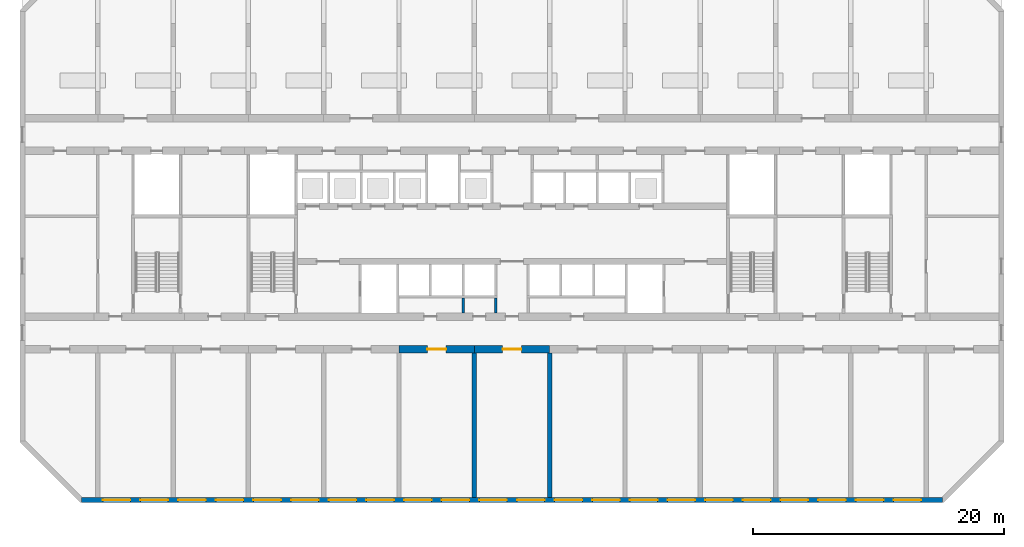
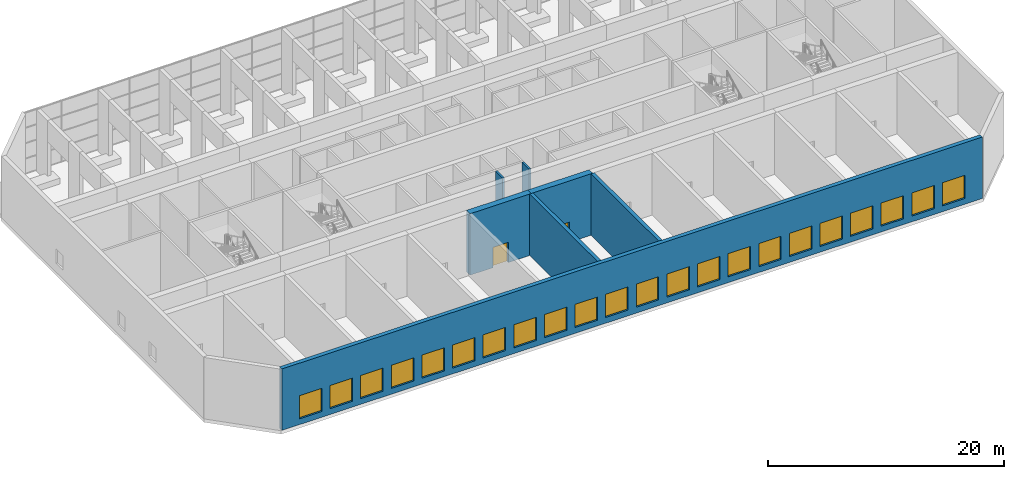
# One storey, part 8 of 16: 22 windows, 7 walls, 2 doors, 24 openings.
"""IFC4 building model written with IfcOpenShell, lengths in metres."""

from ifc_helpers import new_model, si_unit, direction, frame, frame_2d, origin, place, context, subcontext, project, spatial, rectangle, extrude, material, layer, layer_set, type_object, element, fill, save


model = new_model("IFC4")

# Units and contexts
model_context = context("Model", 3, precision=1e-05, world=origin(), true_north=direction((0.0, 1.0)))
body_context = subcontext(model_context, "Body", "Model", "MODEL_VIEW")
ifc_project = project(units=[si_unit("LENGTHUNIT", "METRE"), si_unit("AREAUNIT", "SQUARE_METRE"), si_unit("VOLUMEUNIT", "CUBIC_METRE"), si_unit("PLANEANGLEUNIT", "RADIAN"), si_unit("MASSUNIT", "GRAM", prefix="KILO")], contexts=[model_context])

# Site, building, storey
site_placement = place(None, origin())
site = spatial("IfcSite", under=ifc_project, at=site_placement, CompositionType="ELEMENT")
building_placement = place(site_placement, origin())
building = spatial("IfcBuilding", under=site, at=building_placement, Name="Poui Terraces", CompositionType="ELEMENT")
storey_placement = place(building_placement, frame((0.0, 0.0, 115.800048828125)))
storey = spatial("IfcBuildingStorey", under=building, at=storey_placement, Name="L32", CompositionType="ELEMENT", Elevation=115.800048828125)

# Wall, opening, door
ifc_material_1 = material(Name="Concrete 65 MPa", Category="concrete")
ifc_layer_1 = layer(ifc_material_1, 0.60009765625)
ifc_layer_set_1 = layer_set([ifc_layer_1], Name="Concrete 65 MPa")
wall_type_1 = type_object("IfcWallType", Name="BELT WALL 600 65MPa", PredefinedType="SHEAR", material=ifc_layer_set_1)
wall_1_placement = place(storey_placement, frame((42.0, 12.0, 0.0), z_axis=(0.0, 0.0, 1.0), x_axis=(1.0, 0.0, 0.0)))
wall_1 = element("IfcWall", 1, at=wall_1_placement, inside=storey, type_object=wall_type_1, Name="BELT WALL LINE B BAY 6", PredefinedType="SHEAR", context=body_context, shape_type="SweptSolid", body=[
    extrude(rectangle(XDim=6.0, YDim=0.60009765625, at=frame_2d((3.0, 0.0))), origin(), (0.0, 0.0, 1.0), 6.369873046875),
])
opening_1_placement = place(wall_1_placement, frame((2.25, 0.0, 0.0)))
opening_1 = element("IfcOpeningElement", 2, at=opening_1_placement, cuts=wall_1, Name="Opening FDP", PredefinedType="OPENING", context=body_context, shape_type="SweptSolid", body=[
    extrude(rectangle(XDim=1.5, YDim=2.10009765625, at=frame_2d((0.75, 1.050048828125))), frame((0.0, 0.31005859375, 0.0), z_axis=(0.0, -1.0, 0.0), x_axis=(1.0, 0.0, 0.0)), (0.0, 0.0, 1.0), 0.6201171875),
])
ifc_material_2 = material(Name="Steel fire door", Category="steel")
door_type = type_object("IfcDoorType", Name="PLANT ROOM DOOR PAIR 1500 X 2100", OperationType="DOUBLE_DOOR_SINGLE_SWING", PredefinedType="DOOR", material=ifc_material_2)
door_1_placement = place(opening_1_placement, origin())
door_1 = element("IfcDoor", 3, at=door_1_placement, inside=storey, type_object=door_type, Name="PLANT ROOM DOOR PAIR 031", OperationType="DOUBLE_DOOR_SINGLE_SWING", OverallHeight=2.10009765625, OverallWidth=1.5, PredefinedType="DOOR", context=body_context, shape_type="SweptSolid", body=[
    extrude(rectangle(XDim=1.5, YDim=2.10009765625, at=frame_2d((0.75, 1.050048828125))), frame((0.0, 0.02490234375, 0.0), z_axis=(0.0, -1.0, 0.0), x_axis=(1.0, 0.0, 0.0)), (0.0, 0.0, 1.0), 0.050048828125),
])
fill(opening_1, door_1)

wall_2_placement = place(storey_placement, frame((48.0, 12.0, 0.0), z_axis=(0.0, 0.0, 1.0), x_axis=(1.0, 0.0, 0.0)))
wall_2 = element("IfcWall", 4, at=wall_2_placement, inside=storey, type_object=wall_type_1, Name="BELT WALL LINE B BAY 7", PredefinedType="SHEAR", context=body_context, shape_type="SweptSolid", body=[
    extrude(rectangle(XDim=6.0, YDim=0.60009765625, at=frame_2d((3.0, 0.0))), origin(), (0.0, 0.0, 1.0), 6.369873046875),
])
opening_2_placement = place(wall_2_placement, frame((2.25, 0.0, 0.0)))
opening_2 = element("IfcOpeningElement", 5, at=opening_2_placement, cuts=wall_2, Name="Opening FDP", PredefinedType="OPENING", context=body_context, shape_type="SweptSolid", body=[
    extrude(rectangle(XDim=1.5, YDim=2.10009765625, at=frame_2d((0.75, 1.050048828125))), frame((0.0, 0.31005859375, 0.0), z_axis=(0.0, -1.0, 0.0), x_axis=(1.0, 0.0, 0.0)), (0.0, 0.0, 1.0), 0.6201171875),
])
door_2_placement = place(opening_2_placement, origin())
door_2 = element("IfcDoor", 6, at=door_2_placement, inside=storey, type_object=door_type, Name="PLANT ROOM DOOR PAIR 033", OperationType="DOUBLE_DOOR_SINGLE_SWING", OverallHeight=2.10009765625, OverallWidth=1.5, PredefinedType="DOOR", context=body_context, shape_type="SweptSolid", body=[
    extrude(rectangle(XDim=1.5, YDim=2.10009765625, at=frame_2d((0.75, 1.050048828125))), frame((0.0, 0.02490234375, 0.0), z_axis=(0.0, -1.0, 0.0), x_axis=(1.0, 0.0, 0.0)), (0.0, 0.0, 1.0), 0.050048828125),
])
fill(opening_2, door_2)

# Walls
ifc_layer_2 = layer(ifc_material_1, 0.35009765625)
ifc_layer_set_2 = layer_set([ifc_layer_2], Name="Concrete 65 MPa")
wall_type_2 = type_object("IfcWallType", Name="CROSS WALL 350 65MPa", PredefinedType="SHEAR", material=ifc_layer_set_2)
for number, where, z_axis, x_axis, name in (
    (7, (48.0, 0.199951171875, 0.0), (0.0, 0.0, 1.0), (0.0, 1.0, 0.0), "CROSS WALL LINE 9 SOUTH"),
    (8, (54.0, 0.199951171875, 0.0), (0.0, 0.0, 1.0), (0.0, 1.0, 0.0), "CROSS WALL LINE 10 SOUTH"),
):
    element("IfcWall", number, at=place(storey_placement, frame(where, z_axis=z_axis, x_axis=x_axis)), inside=storey, type_object=wall_type_2, Name=name, PredefinedType="SHEAR", context=body_context, shape_type="SweptSolid", body=[
        extrude(rectangle(XDim=11.5, YDim=0.35009765625, at=frame_2d((5.75, 0.0))), origin(), (0.0, 0.0, 1.0), 6.369873046875),
    ])

# Wall, openings, windows
ifc_material_3 = material(Name="Precast concrete 40 MPa", Category="concrete")
ifc_layer_3 = layer(ifc_material_3, 0.39990234375)
ifc_layer_set_3 = layer_set([ifc_layer_3], Name="Precast concrete 40 MPa")
wall_type_3 = type_object("IfcWallType", Name="EXTERNAL WALL 400", PredefinedType="STANDARD", material=ifc_layer_set_3)
wall_3_placement = place(storey_placement, frame((16.682861328125, 0.0, 0.0), z_axis=(0.0, 0.0, 1.0), x_axis=(1.0, 0.0, 0.0)))
wall_3 = element("IfcWall", 9, at=wall_3_placement, inside=storey, type_object=wall_type_3, Name="EXTERNAL WALL S", PredefinedType="STANDARD", context=body_context, shape_type="SweptSolid", body=[
    extrude(rectangle(XDim=68.63427734375, YDim=0.39990234375, at=frame_2d((34.317138671875, 0.0))), origin(), (0.0, 0.0, 1.0), 6.369873046875),
])
opening_3_placement = place(wall_3_placement, frame((1.71728515625, 0.0, 0.60009765625)))
opening_3 = element("IfcOpeningElement", 10, at=opening_3_placement, cuts=wall_3, Name="Opening W5", PredefinedType="OPENING", context=body_context, shape_type="SweptSolid", body=[
    extrude(rectangle(XDim=2.199951171875, YDim=2.39990234375, at=frame_2d((1.10009765625, 1.199951171875))), frame((0.0, 0.2099609375, 0.0), z_axis=(0.0, -1.0, 0.0), x_axis=(1.0, 0.0, 0.0)), (0.0, 0.0, 1.0), 0.419921875),
])
opening_4_placement = place(wall_3_placement, frame((4.71728515625, 0.0, 0.60009765625)))
opening_4 = element("IfcOpeningElement", 11, at=opening_4_placement, cuts=wall_3, Name="Opening W5", PredefinedType="OPENING", context=body_context, shape_type="SweptSolid", body=[
    extrude(rectangle(XDim=2.199951171875, YDim=2.39990234375, at=frame_2d((1.10009765625, 1.199951171875))), frame((0.0, 0.2099609375, 0.0), z_axis=(0.0, -1.0, 0.0), x_axis=(1.0, 0.0, 0.0)), (0.0, 0.0, 1.0), 0.419921875),
])
opening_5_placement = place(wall_3_placement, frame((7.71728515625, 0.0, 0.60009765625)))
opening_5 = element("IfcOpeningElement", 12, at=opening_5_placement, cuts=wall_3, Name="Opening W5", PredefinedType="OPENING", context=body_context, shape_type="SweptSolid", body=[
    extrude(rectangle(XDim=2.199951171875, YDim=2.39990234375, at=frame_2d((1.10009765625, 1.199951171875))), frame((0.0, 0.2099609375, 0.0), z_axis=(0.0, -1.0, 0.0), x_axis=(1.0, 0.0, 0.0)), (0.0, 0.0, 1.0), 0.419921875),
])
opening_6_placement = place(wall_3_placement, frame((10.71728515625, 0.0, 0.60009765625)))
opening_6 = element("IfcOpeningElement", 13, at=opening_6_placement, cuts=wall_3, Name="Opening W5", PredefinedType="OPENING", context=body_context, shape_type="SweptSolid", body=[
    extrude(rectangle(XDim=2.199951171875, YDim=2.39990234375, at=frame_2d((1.10009765625, 1.199951171875))), frame((0.0, 0.2099609375, 0.0), z_axis=(0.0, -1.0, 0.0), x_axis=(1.0, 0.0, 0.0)), (0.0, 0.0, 1.0), 0.419921875),
])
opening_7_placement = place(wall_3_placement, frame((13.71728515625, 0.0, 0.60009765625)))
opening_7 = element("IfcOpeningElement", 14, at=opening_7_placement, cuts=wall_3, Name="Opening W5", PredefinedType="OPENING", context=body_context, shape_type="SweptSolid", body=[
    extrude(rectangle(XDim=2.199951171875, YDim=2.39990234375, at=frame_2d((1.10009765625, 1.199951171875))), frame((0.0, 0.2099609375, 0.0), z_axis=(0.0, -1.0, 0.0), x_axis=(1.0, 0.0, 0.0)), (0.0, 0.0, 1.0), 0.419921875),
])
opening_8_placement = place(wall_3_placement, frame((16.71728515625, 0.0, 0.60009765625)))
opening_8 = element("IfcOpeningElement", 15, at=opening_8_placement, cuts=wall_3, Name="Opening W5", PredefinedType="OPENING", context=body_context, shape_type="SweptSolid", body=[
    extrude(rectangle(XDim=2.199951171875, YDim=2.39990234375, at=frame_2d((1.10009765625, 1.199951171875))), frame((0.0, 0.2099609375, 0.0), z_axis=(0.0, -1.0, 0.0), x_axis=(1.0, 0.0, 0.0)), (0.0, 0.0, 1.0), 0.419921875),
])
opening_9_placement = place(wall_3_placement, frame((19.71728515625, 0.0, 0.60009765625)))
opening_9 = element("IfcOpeningElement", 16, at=opening_9_placement, cuts=wall_3, Name="Opening W5", PredefinedType="OPENING", context=body_context, shape_type="SweptSolid", body=[
    extrude(rectangle(XDim=2.199951171875, YDim=2.39990234375, at=frame_2d((1.10009765625, 1.199951171875))), frame((0.0, 0.2099609375, 0.0), z_axis=(0.0, -1.0, 0.0), x_axis=(1.0, 0.0, 0.0)), (0.0, 0.0, 1.0), 0.419921875),
])
opening_10_placement = place(wall_3_placement, frame((22.71728515625, 0.0, 0.60009765625)))
opening_10 = element("IfcOpeningElement", 17, at=opening_10_placement, cuts=wall_3, Name="Opening W5", PredefinedType="OPENING", context=body_context, shape_type="SweptSolid", body=[
    extrude(rectangle(XDim=2.199951171875, YDim=2.39990234375, at=frame_2d((1.10009765625, 1.199951171875))), frame((0.0, 0.2099609375, 0.0), z_axis=(0.0, -1.0, 0.0), x_axis=(1.0, 0.0, 0.0)), (0.0, 0.0, 1.0), 0.419921875),
])
opening_11_placement = place(wall_3_placement, frame((25.71728515625, 0.0, 0.60009765625)))
opening_11 = element("IfcOpeningElement", 18, at=opening_11_placement, cuts=wall_3, Name="Opening W5", PredefinedType="OPENING", context=body_context, shape_type="SweptSolid", body=[
    extrude(rectangle(XDim=2.199951171875, YDim=2.39990234375, at=frame_2d((1.10009765625, 1.199951171875))), frame((0.0, 0.2099609375, 0.0), z_axis=(0.0, -1.0, 0.0), x_axis=(1.0, 0.0, 0.0)), (0.0, 0.0, 1.0), 0.419921875),
])
opening_12_placement = place(wall_3_placement, frame((28.71728515625, 0.0, 0.60009765625)))
opening_12 = element("IfcOpeningElement", 19, at=opening_12_placement, cuts=wall_3, Name="Opening W5", PredefinedType="OPENING", context=body_context, shape_type="SweptSolid", body=[
    extrude(rectangle(XDim=2.199951171875, YDim=2.39990234375, at=frame_2d((1.10009765625, 1.199951171875))), frame((0.0, 0.2099609375, 0.0), z_axis=(0.0, -1.0, 0.0), x_axis=(1.0, 0.0, 0.0)), (0.0, 0.0, 1.0), 0.419921875),
])
opening_13_placement = place(wall_3_placement, frame((31.71728515625, 0.0, 0.60009765625)))
opening_13 = element("IfcOpeningElement", 20, at=opening_13_placement, cuts=wall_3, Name="Opening W5", PredefinedType="OPENING", context=body_context, shape_type="SweptSolid", body=[
    extrude(rectangle(XDim=2.199951171875, YDim=2.39990234375, at=frame_2d((1.10009765625, 1.199951171875))), frame((0.0, 0.2099609375, 0.0), z_axis=(0.0, -1.0, 0.0), x_axis=(1.0, 0.0, 0.0)), (0.0, 0.0, 1.0), 0.419921875),
])
opening_14_placement = place(wall_3_placement, frame((34.71728515625, 0.0, 0.60009765625)))
opening_14 = element("IfcOpeningElement", 21, at=opening_14_placement, cuts=wall_3, Name="Opening W5", PredefinedType="OPENING", context=body_context, shape_type="SweptSolid", body=[
    extrude(rectangle(XDim=2.199951171875, YDim=2.39990234375, at=frame_2d((1.10009765625, 1.199951171875))), frame((0.0, 0.2099609375, 0.0), z_axis=(0.0, -1.0, 0.0), x_axis=(1.0, 0.0, 0.0)), (0.0, 0.0, 1.0), 0.419921875),
])
opening_15_placement = place(wall_3_placement, frame((37.71728515625, 0.0, 0.60009765625)))
opening_15 = element("IfcOpeningElement", 22, at=opening_15_placement, cuts=wall_3, Name="Opening W5", PredefinedType="OPENING", context=body_context, shape_type="SweptSolid", body=[
    extrude(rectangle(XDim=2.199951171875, YDim=2.39990234375, at=frame_2d((1.10009765625, 1.199951171875))), frame((0.0, 0.2099609375, 0.0), z_axis=(0.0, -1.0, 0.0), x_axis=(1.0, 0.0, 0.0)), (0.0, 0.0, 1.0), 0.419921875),
])
opening_16_placement = place(wall_3_placement, frame((40.71728515625, 0.0, 0.60009765625)))
opening_16 = element("IfcOpeningElement", 23, at=opening_16_placement, cuts=wall_3, Name="Opening W5", PredefinedType="OPENING", context=body_context, shape_type="SweptSolid", body=[
    extrude(rectangle(XDim=2.199951171875, YDim=2.39990234375, at=frame_2d((1.10009765625, 1.199951171875))), frame((0.0, 0.2099609375, 0.0), z_axis=(0.0, -1.0, 0.0), x_axis=(1.0, 0.0, 0.0)), (0.0, 0.0, 1.0), 0.419921875),
])
opening_17_placement = place(wall_3_placement, frame((43.71728515625, 0.0, 0.60009765625)))
opening_17 = element("IfcOpeningElement", 24, at=opening_17_placement, cuts=wall_3, Name="Opening W5", PredefinedType="OPENING", context=body_context, shape_type="SweptSolid", body=[
    extrude(rectangle(XDim=2.199951171875, YDim=2.39990234375, at=frame_2d((1.10009765625, 1.199951171875))), frame((0.0, 0.2099609375, 0.0), z_axis=(0.0, -1.0, 0.0), x_axis=(1.0, 0.0, 0.0)), (0.0, 0.0, 1.0), 0.419921875),
])
opening_18_placement = place(wall_3_placement, frame((46.71728515625, 0.0, 0.60009765625)))
opening_18 = element("IfcOpeningElement", 25, at=opening_18_placement, cuts=wall_3, Name="Opening W5", PredefinedType="OPENING", context=body_context, shape_type="SweptSolid", body=[
    extrude(rectangle(XDim=2.199951171875, YDim=2.39990234375, at=frame_2d((1.10009765625, 1.199951171875))), frame((0.0, 0.2099609375, 0.0), z_axis=(0.0, -1.0, 0.0), x_axis=(1.0, 0.0, 0.0)), (0.0, 0.0, 1.0), 0.419921875),
])
opening_19_placement = place(wall_3_placement, frame((49.71728515625, 0.0, 0.60009765625)))
opening_19 = element("IfcOpeningElement", 26, at=opening_19_placement, cuts=wall_3, Name="Opening W5", PredefinedType="OPENING", context=body_context, shape_type="SweptSolid", body=[
    extrude(rectangle(XDim=2.199951171875, YDim=2.39990234375, at=frame_2d((1.10009765625, 1.199951171875))), frame((0.0, 0.2099609375, 0.0), z_axis=(0.0, -1.0, 0.0), x_axis=(1.0, 0.0, 0.0)), (0.0, 0.0, 1.0), 0.419921875),
])
opening_20_placement = place(wall_3_placement, frame((52.71728515625, 0.0, 0.60009765625)))
opening_20 = element("IfcOpeningElement", 27, at=opening_20_placement, cuts=wall_3, Name="Opening W5", PredefinedType="OPENING", context=body_context, shape_type="SweptSolid", body=[
    extrude(rectangle(XDim=2.199951171875, YDim=2.39990234375, at=frame_2d((1.10009765625, 1.199951171875))), frame((0.0, 0.2099609375, 0.0), z_axis=(0.0, -1.0, 0.0), x_axis=(1.0, 0.0, 0.0)), (0.0, 0.0, 1.0), 0.419921875),
])
opening_21_placement = place(wall_3_placement, frame((55.71728515625, 0.0, 0.60009765625)))
opening_21 = element("IfcOpeningElement", 28, at=opening_21_placement, cuts=wall_3, Name="Opening W5", PredefinedType="OPENING", context=body_context, shape_type="SweptSolid", body=[
    extrude(rectangle(XDim=2.199951171875, YDim=2.39990234375, at=frame_2d((1.10009765625, 1.199951171875))), frame((0.0, 0.2099609375, 0.0), z_axis=(0.0, -1.0, 0.0), x_axis=(1.0, 0.0, 0.0)), (0.0, 0.0, 1.0), 0.419921875),
])
opening_22_placement = place(wall_3_placement, frame((58.71728515625, 0.0, 0.60009765625)))
opening_22 = element("IfcOpeningElement", 29, at=opening_22_placement, cuts=wall_3, Name="Opening W5", PredefinedType="OPENING", context=body_context, shape_type="SweptSolid", body=[
    extrude(rectangle(XDim=2.199951171875, YDim=2.39990234375, at=frame_2d((1.10009765625, 1.199951171875))), frame((0.0, 0.2099609375, 0.0), z_axis=(0.0, -1.0, 0.0), x_axis=(1.0, 0.0, 0.0)), (0.0, 0.0, 1.0), 0.419921875),
])
opening_23_placement = place(wall_3_placement, frame((61.71728515625, 0.0, 0.60009765625)))
opening_23 = element("IfcOpeningElement", 30, at=opening_23_placement, cuts=wall_3, Name="Opening W5", PredefinedType="OPENING", context=body_context, shape_type="SweptSolid", body=[
    extrude(rectangle(XDim=2.199951171875, YDim=2.39990234375, at=frame_2d((1.10009765625, 1.199951171875))), frame((0.0, 0.2099609375, 0.0), z_axis=(0.0, -1.0, 0.0), x_axis=(1.0, 0.0, 0.0)), (0.0, 0.0, 1.0), 0.419921875),
])
opening_24_placement = place(wall_3_placement, frame((64.71728515625, 0.0, 0.60009765625)))
opening_24 = element("IfcOpeningElement", 31, at=opening_24_placement, cuts=wall_3, Name="Opening W5", PredefinedType="OPENING", context=body_context, shape_type="SweptSolid", body=[
    extrude(rectangle(XDim=2.199951171875, YDim=2.39990234375, at=frame_2d((1.10009765625, 1.199951171875))), frame((0.0, 0.2099609375, 0.0), z_axis=(0.0, -1.0, 0.0), x_axis=(1.0, 0.0, 0.0)), (0.0, 0.0, 1.0), 0.419921875),
])
ifc_material_4 = material(Name="Clear glass in aluminium frame", Category="aluminium")
window_type = type_object("IfcWindowType", Name="WINDOW 2200X2400", PartitioningType="TRIPLE_PANEL_HORIZONTAL", PredefinedType="WINDOW", material=ifc_material_4)
window_1_placement = place(opening_3_placement, origin())
window_1 = element("IfcWindow", 32, at=window_1_placement, inside=storey, type_object=window_type, Name="W5 WINDOW", OverallHeight=2.39990234375, OverallWidth=2.199951171875, PartitioningType="TRIPLE_PANEL_HORIZONTAL", PredefinedType="WINDOW", context=body_context, shape_type="SweptSolid", body=[
    extrude(rectangle(XDim=2.199951171875, YDim=2.39990234375, at=frame_2d((1.10009765625, 1.199951171875))), frame((0.0, 0.030029296875, 0.0), z_axis=(0.0, -1.0, 0.0), x_axis=(1.0, 0.0, 0.0)), (0.0, 0.0, 1.0), 0.06005859375),
])
fill(opening_3, window_1)
window_2_placement = place(opening_4_placement, origin())
window_2 = element("IfcWindow", 33, at=window_2_placement, inside=storey, type_object=window_type, Name="W5 WINDOW", OverallHeight=2.39990234375, OverallWidth=2.199951171875, PartitioningType="TRIPLE_PANEL_HORIZONTAL", PredefinedType="WINDOW", context=body_context, shape_type="SweptSolid", body=[
    extrude(rectangle(XDim=2.199951171875, YDim=2.39990234375, at=frame_2d((1.10009765625, 1.199951171875))), frame((0.0, 0.030029296875, 0.0), z_axis=(0.0, -1.0, 0.0), x_axis=(1.0, 0.0, 0.0)), (0.0, 0.0, 1.0), 0.06005859375),
])
fill(opening_4, window_2)
window_3_placement = place(opening_5_placement, origin())
window_3 = element("IfcWindow", 34, at=window_3_placement, inside=storey, type_object=window_type, Name="W5 WINDOW", OverallHeight=2.39990234375, OverallWidth=2.199951171875, PartitioningType="TRIPLE_PANEL_HORIZONTAL", PredefinedType="WINDOW", context=body_context, shape_type="SweptSolid", body=[
    extrude(rectangle(XDim=2.199951171875, YDim=2.39990234375, at=frame_2d((1.10009765625, 1.199951171875))), frame((0.0, 0.030029296875, 0.0), z_axis=(0.0, -1.0, 0.0), x_axis=(1.0, 0.0, 0.0)), (0.0, 0.0, 1.0), 0.06005859375),
])
fill(opening_5, window_3)
window_4_placement = place(opening_6_placement, origin())
window_4 = element("IfcWindow", 35, at=window_4_placement, inside=storey, type_object=window_type, Name="W5 WINDOW", OverallHeight=2.39990234375, OverallWidth=2.199951171875, PartitioningType="TRIPLE_PANEL_HORIZONTAL", PredefinedType="WINDOW", context=body_context, shape_type="SweptSolid", body=[
    extrude(rectangle(XDim=2.199951171875, YDim=2.39990234375, at=frame_2d((1.10009765625, 1.199951171875))), frame((0.0, 0.030029296875, 0.0), z_axis=(0.0, -1.0, 0.0), x_axis=(1.0, 0.0, 0.0)), (0.0, 0.0, 1.0), 0.06005859375),
])
fill(opening_6, window_4)
window_5_placement = place(opening_7_placement, origin())
window_5 = element("IfcWindow", 36, at=window_5_placement, inside=storey, type_object=window_type, Name="W5 WINDOW", OverallHeight=2.39990234375, OverallWidth=2.199951171875, PartitioningType="TRIPLE_PANEL_HORIZONTAL", PredefinedType="WINDOW", context=body_context, shape_type="SweptSolid", body=[
    extrude(rectangle(XDim=2.199951171875, YDim=2.39990234375, at=frame_2d((1.10009765625, 1.199951171875))), frame((0.0, 0.030029296875, 0.0), z_axis=(0.0, -1.0, 0.0), x_axis=(1.0, 0.0, 0.0)), (0.0, 0.0, 1.0), 0.06005859375),
])
fill(opening_7, window_5)
window_6_placement = place(opening_8_placement, origin())
window_6 = element("IfcWindow", 37, at=window_6_placement, inside=storey, type_object=window_type, Name="W5 WINDOW", OverallHeight=2.39990234375, OverallWidth=2.199951171875, PartitioningType="TRIPLE_PANEL_HORIZONTAL", PredefinedType="WINDOW", context=body_context, shape_type="SweptSolid", body=[
    extrude(rectangle(XDim=2.199951171875, YDim=2.39990234375, at=frame_2d((1.10009765625, 1.199951171875))), frame((0.0, 0.030029296875, 0.0), z_axis=(0.0, -1.0, 0.0), x_axis=(1.0, 0.0, 0.0)), (0.0, 0.0, 1.0), 0.06005859375),
])
fill(opening_8, window_6)
window_7_placement = place(opening_9_placement, origin())
window_7 = element("IfcWindow", 38, at=window_7_placement, inside=storey, type_object=window_type, Name="W5 WINDOW", OverallHeight=2.39990234375, OverallWidth=2.199951171875, PartitioningType="TRIPLE_PANEL_HORIZONTAL", PredefinedType="WINDOW", context=body_context, shape_type="SweptSolid", body=[
    extrude(rectangle(XDim=2.199951171875, YDim=2.39990234375, at=frame_2d((1.10009765625, 1.199951171875))), frame((0.0, 0.030029296875, 0.0), z_axis=(0.0, -1.0, 0.0), x_axis=(1.0, 0.0, 0.0)), (0.0, 0.0, 1.0), 0.06005859375),
])
fill(opening_9, window_7)
window_8_placement = place(opening_10_placement, origin())
window_8 = element("IfcWindow", 39, at=window_8_placement, inside=storey, type_object=window_type, Name="W5 WINDOW", OverallHeight=2.39990234375, OverallWidth=2.199951171875, PartitioningType="TRIPLE_PANEL_HORIZONTAL", PredefinedType="WINDOW", context=body_context, shape_type="SweptSolid", body=[
    extrude(rectangle(XDim=2.199951171875, YDim=2.39990234375, at=frame_2d((1.10009765625, 1.199951171875))), frame((0.0, 0.030029296875, 0.0), z_axis=(0.0, -1.0, 0.0), x_axis=(1.0, 0.0, 0.0)), (0.0, 0.0, 1.0), 0.06005859375),
])
fill(opening_10, window_8)
window_9_placement = place(opening_11_placement, origin())
window_9 = element("IfcWindow", 40, at=window_9_placement, inside=storey, type_object=window_type, Name="W5 WINDOW", OverallHeight=2.39990234375, OverallWidth=2.199951171875, PartitioningType="TRIPLE_PANEL_HORIZONTAL", PredefinedType="WINDOW", context=body_context, shape_type="SweptSolid", body=[
    extrude(rectangle(XDim=2.199951171875, YDim=2.39990234375, at=frame_2d((1.10009765625, 1.199951171875))), frame((0.0, 0.030029296875, 0.0), z_axis=(0.0, -1.0, 0.0), x_axis=(1.0, 0.0, 0.0)), (0.0, 0.0, 1.0), 0.06005859375),
])
fill(opening_11, window_9)
window_10_placement = place(opening_12_placement, origin())
window_10 = element("IfcWindow", 41, at=window_10_placement, inside=storey, type_object=window_type, Name="W5 WINDOW", OverallHeight=2.39990234375, OverallWidth=2.199951171875, PartitioningType="TRIPLE_PANEL_HORIZONTAL", PredefinedType="WINDOW", context=body_context, shape_type="SweptSolid", body=[
    extrude(rectangle(XDim=2.199951171875, YDim=2.39990234375, at=frame_2d((1.10009765625, 1.199951171875))), frame((0.0, 0.030029296875, 0.0), z_axis=(0.0, -1.0, 0.0), x_axis=(1.0, 0.0, 0.0)), (0.0, 0.0, 1.0), 0.06005859375),
])
fill(opening_12, window_10)
window_11_placement = place(opening_13_placement, origin())
window_11 = element("IfcWindow", 42, at=window_11_placement, inside=storey, type_object=window_type, Name="W5 WINDOW", OverallHeight=2.39990234375, OverallWidth=2.199951171875, PartitioningType="TRIPLE_PANEL_HORIZONTAL", PredefinedType="WINDOW", context=body_context, shape_type="SweptSolid", body=[
    extrude(rectangle(XDim=2.199951171875, YDim=2.39990234375, at=frame_2d((1.10009765625, 1.199951171875))), frame((0.0, 0.030029296875, 0.0), z_axis=(0.0, -1.0, 0.0), x_axis=(1.0, 0.0, 0.0)), (0.0, 0.0, 1.0), 0.06005859375),
])
fill(opening_13, window_11)
window_12_placement = place(opening_14_placement, origin())
window_12 = element("IfcWindow", 43, at=window_12_placement, inside=storey, type_object=window_type, Name="W5 WINDOW", OverallHeight=2.39990234375, OverallWidth=2.199951171875, PartitioningType="TRIPLE_PANEL_HORIZONTAL", PredefinedType="WINDOW", context=body_context, shape_type="SweptSolid", body=[
    extrude(rectangle(XDim=2.199951171875, YDim=2.39990234375, at=frame_2d((1.10009765625, 1.199951171875))), frame((0.0, 0.030029296875, 0.0), z_axis=(0.0, -1.0, 0.0), x_axis=(1.0, 0.0, 0.0)), (0.0, 0.0, 1.0), 0.06005859375),
])
fill(opening_14, window_12)
window_13_placement = place(opening_15_placement, origin())
window_13 = element("IfcWindow", 44, at=window_13_placement, inside=storey, type_object=window_type, Name="W5 WINDOW", OverallHeight=2.39990234375, OverallWidth=2.199951171875, PartitioningType="TRIPLE_PANEL_HORIZONTAL", PredefinedType="WINDOW", context=body_context, shape_type="SweptSolid", body=[
    extrude(rectangle(XDim=2.199951171875, YDim=2.39990234375, at=frame_2d((1.10009765625, 1.199951171875))), frame((0.0, 0.030029296875, 0.0), z_axis=(0.0, -1.0, 0.0), x_axis=(1.0, 0.0, 0.0)), (0.0, 0.0, 1.0), 0.06005859375),
])
fill(opening_15, window_13)
window_14_placement = place(opening_16_placement, origin())
window_14 = element("IfcWindow", 45, at=window_14_placement, inside=storey, type_object=window_type, Name="W5 WINDOW", OverallHeight=2.39990234375, OverallWidth=2.199951171875, PartitioningType="TRIPLE_PANEL_HORIZONTAL", PredefinedType="WINDOW", context=body_context, shape_type="SweptSolid", body=[
    extrude(rectangle(XDim=2.199951171875, YDim=2.39990234375, at=frame_2d((1.10009765625, 1.199951171875))), frame((0.0, 0.030029296875, 0.0), z_axis=(0.0, -1.0, 0.0), x_axis=(1.0, 0.0, 0.0)), (0.0, 0.0, 1.0), 0.06005859375),
])
fill(opening_16, window_14)
window_15_placement = place(opening_17_placement, origin())
window_15 = element("IfcWindow", 46, at=window_15_placement, inside=storey, type_object=window_type, Name="W5 WINDOW", OverallHeight=2.39990234375, OverallWidth=2.199951171875, PartitioningType="TRIPLE_PANEL_HORIZONTAL", PredefinedType="WINDOW", context=body_context, shape_type="SweptSolid", body=[
    extrude(rectangle(XDim=2.199951171875, YDim=2.39990234375, at=frame_2d((1.10009765625, 1.199951171875))), frame((0.0, 0.030029296875, 0.0), z_axis=(0.0, -1.0, 0.0), x_axis=(1.0, 0.0, 0.0)), (0.0, 0.0, 1.0), 0.06005859375),
])
fill(opening_17, window_15)
window_16_placement = place(opening_18_placement, origin())
window_16 = element("IfcWindow", 47, at=window_16_placement, inside=storey, type_object=window_type, Name="W5 WINDOW", OverallHeight=2.39990234375, OverallWidth=2.199951171875, PartitioningType="TRIPLE_PANEL_HORIZONTAL", PredefinedType="WINDOW", context=body_context, shape_type="SweptSolid", body=[
    extrude(rectangle(XDim=2.199951171875, YDim=2.39990234375, at=frame_2d((1.10009765625, 1.199951171875))), frame((0.0, 0.030029296875, 0.0), z_axis=(0.0, -1.0, 0.0), x_axis=(1.0, 0.0, 0.0)), (0.0, 0.0, 1.0), 0.06005859375),
])
fill(opening_18, window_16)
window_17_placement = place(opening_19_placement, origin())
window_17 = element("IfcWindow", 48, at=window_17_placement, inside=storey, type_object=window_type, Name="W5 WINDOW", OverallHeight=2.39990234375, OverallWidth=2.199951171875, PartitioningType="TRIPLE_PANEL_HORIZONTAL", PredefinedType="WINDOW", context=body_context, shape_type="SweptSolid", body=[
    extrude(rectangle(XDim=2.199951171875, YDim=2.39990234375, at=frame_2d((1.10009765625, 1.199951171875))), frame((0.0, 0.030029296875, 0.0), z_axis=(0.0, -1.0, 0.0), x_axis=(1.0, 0.0, 0.0)), (0.0, 0.0, 1.0), 0.06005859375),
])
fill(opening_19, window_17)
window_18_placement = place(opening_20_placement, origin())
window_18 = element("IfcWindow", 49, at=window_18_placement, inside=storey, type_object=window_type, Name="W5 WINDOW", OverallHeight=2.39990234375, OverallWidth=2.199951171875, PartitioningType="TRIPLE_PANEL_HORIZONTAL", PredefinedType="WINDOW", context=body_context, shape_type="SweptSolid", body=[
    extrude(rectangle(XDim=2.199951171875, YDim=2.39990234375, at=frame_2d((1.10009765625, 1.199951171875))), frame((0.0, 0.030029296875, 0.0), z_axis=(0.0, -1.0, 0.0), x_axis=(1.0, 0.0, 0.0)), (0.0, 0.0, 1.0), 0.06005859375),
])
fill(opening_20, window_18)
window_19_placement = place(opening_21_placement, origin())
window_19 = element("IfcWindow", 50, at=window_19_placement, inside=storey, type_object=window_type, Name="W5 WINDOW", OverallHeight=2.39990234375, OverallWidth=2.199951171875, PartitioningType="TRIPLE_PANEL_HORIZONTAL", PredefinedType="WINDOW", context=body_context, shape_type="SweptSolid", body=[
    extrude(rectangle(XDim=2.199951171875, YDim=2.39990234375, at=frame_2d((1.10009765625, 1.199951171875))), frame((0.0, 0.030029296875, 0.0), z_axis=(0.0, -1.0, 0.0), x_axis=(1.0, 0.0, 0.0)), (0.0, 0.0, 1.0), 0.06005859375),
])
fill(opening_21, window_19)
window_20_placement = place(opening_22_placement, origin())
window_20 = element("IfcWindow", 51, at=window_20_placement, inside=storey, type_object=window_type, Name="W5 WINDOW", OverallHeight=2.39990234375, OverallWidth=2.199951171875, PartitioningType="TRIPLE_PANEL_HORIZONTAL", PredefinedType="WINDOW", context=body_context, shape_type="SweptSolid", body=[
    extrude(rectangle(XDim=2.199951171875, YDim=2.39990234375, at=frame_2d((1.10009765625, 1.199951171875))), frame((0.0, 0.030029296875, 0.0), z_axis=(0.0, -1.0, 0.0), x_axis=(1.0, 0.0, 0.0)), (0.0, 0.0, 1.0), 0.06005859375),
])
fill(opening_22, window_20)
window_21_placement = place(opening_23_placement, origin())
window_21 = element("IfcWindow", 52, at=window_21_placement, inside=storey, type_object=window_type, Name="W5 WINDOW", OverallHeight=2.39990234375, OverallWidth=2.199951171875, PartitioningType="TRIPLE_PANEL_HORIZONTAL", PredefinedType="WINDOW", context=body_context, shape_type="SweptSolid", body=[
    extrude(rectangle(XDim=2.199951171875, YDim=2.39990234375, at=frame_2d((1.10009765625, 1.199951171875))), frame((0.0, 0.030029296875, 0.0), z_axis=(0.0, -1.0, 0.0), x_axis=(1.0, 0.0, 0.0)), (0.0, 0.0, 1.0), 0.06005859375),
])
fill(opening_23, window_21)
window_22_placement = place(opening_24_placement, origin())
window_22 = element("IfcWindow", 53, at=window_22_placement, inside=storey, type_object=window_type, Name="W5 WINDOW", OverallHeight=2.39990234375, OverallWidth=2.199951171875, PartitioningType="TRIPLE_PANEL_HORIZONTAL", PredefinedType="WINDOW", context=body_context, shape_type="SweptSolid", body=[
    extrude(rectangle(XDim=2.199951171875, YDim=2.39990234375, at=frame_2d((1.10009765625, 1.199951171875))), frame((0.0, 0.030029296875, 0.0), z_axis=(0.0, -1.0, 0.0), x_axis=(1.0, 0.0, 0.0)), (0.0, 0.0, 1.0), 0.06005859375),
])
fill(opening_24, window_22)

# Walls
ifc_material_5 = material(Name="Fire-rated masonry wall", Category="masonry")
ifc_layer_4 = layer(ifc_material_5, 0.199951171875)
ifc_layer_set_4 = layer_set([ifc_layer_4], Name="Fire-rated masonry wall")
wall_type_4 = type_object("IfcWallType", Name="PLANT ROOM WALL 200", PredefinedType="PARTITIONING", material=ifc_layer_set_4)
for number, where, z_axis, x_axis, name in (
    (54, (47.10009765625, 14.909912109375, 0.0), (0.0, 0.0, 1.0), (0.0, 1.0, 0.0), "PLANT ROOM WALL 200"),
    (55, (49.699951171875, 14.909912109375, 0.0), (0.0, 0.0, 1.0), (0.0, 1.0, 0.0), "PLANT ROOM WALL 200"),
):
    element("IfcWall", number, at=place(storey_placement, frame(where, z_axis=z_axis, x_axis=x_axis)), inside=storey, type_object=wall_type_4, Name=name, PredefinedType="PARTITIONING", context=body_context, shape_type="SweptSolid", body=[
        extrude(rectangle(XDim=1.190185546875, YDim=0.199951171875, at=frame_2d((0.59521484375, 0.0))), origin(), (0.0, 0.0, 1.0), 6.369873046875),
    ])

save(model, "model.ifc")
